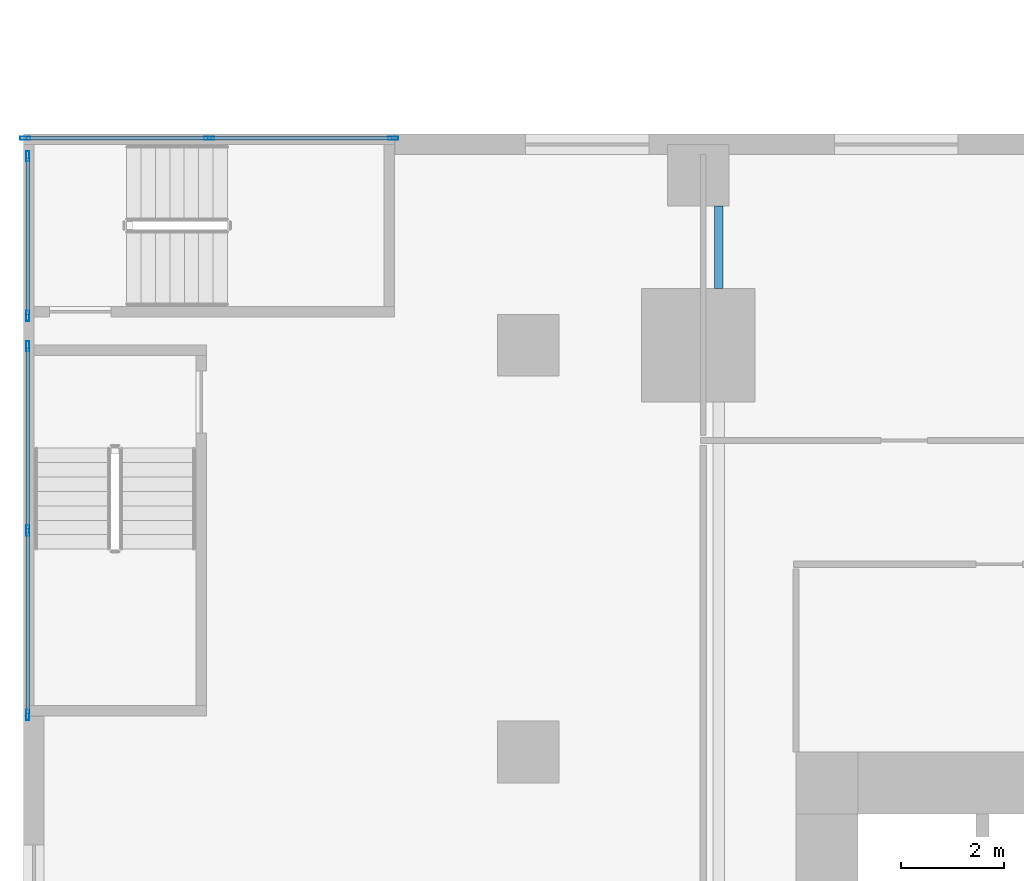
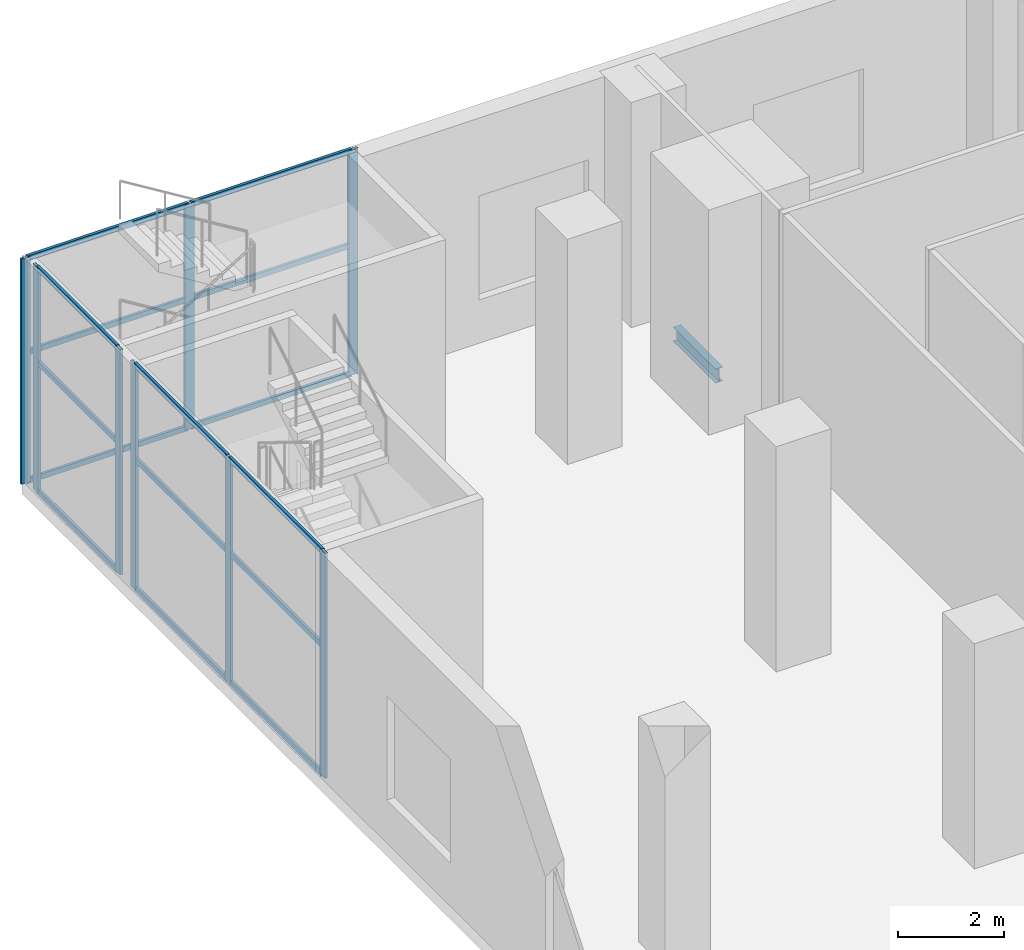
# One storey, part 4 of 23: 23 members, 1 beam, 3 elements without a shape of their own.
"""IFC4 building model written with IfcOpenShell, lengths in metres."""

from ifc_helpers import new_model, si_unit, direction, frame, origin, origin_2d, place, context, subcontext, project, spatial, hollow_rectangle, i_section, extrude, source, transform, mapped, material, material_profile, profile_set, type_object, element, aggregate, save


model = new_model("IFC4")

# Units and contexts
model_context = context("Model", 3, precision=1e-05, world=origin(), true_north=direction((0.0, 1.0)))
body_context = subcontext(model_context, "Body", "Model", "MODEL_VIEW")
ifc_project = project(units=[si_unit("LENGTHUNIT", "METRE"), si_unit("AREAUNIT", "SQUARE_METRE"), si_unit("VOLUMEUNIT", "CUBIC_METRE"), si_unit("PLANEANGLEUNIT", "RADIAN"), si_unit("MASSUNIT", "GRAM", prefix="KILO")], contexts=[model_context])

# Site, building, storey
site_placement = place(None, origin())
site = spatial("IfcSite", under=ifc_project, at=site_placement, CompositionType="ELEMENT")
building_placement = place(site_placement, origin())
building = spatial("IfcBuilding", under=site, at=building_placement, Name="Khomas Fold Tower", CompositionType="ELEMENT")
storey_placement = place(building_placement, frame((0.0, 0.0, 13.0)))
storey = spatial("IfcBuildingStorey", under=building, at=storey_placement, Name="L02", CompositionType="ELEMENT", Elevation=13.0)

# Beam
ifc_material_1 = material(Name="Steel S355", Category="steel")
ifc_material_profile_1 = material_profile(ifc_material_1, i_section(OverallWidth=0.159912109375, OverallDepth=0.330078125, WebThickness=0.007568359375, FlangeThickness=0.011474609375, at=origin_2d()), Name="IPE 330")
ifc_profile_set_1 = profile_set([ifc_material_profile_1], Name="Steel S355")
beam_type = type_object("IfcBeamType", Name="IPE 330 beam JB1", PredefinedType="BEAM", material=ifc_profile_set_1)
shared_shape_1 = source(origin(), body_context, "Body", "SweptSolid", [
    extrude(i_section(OverallWidth=0.159912109375, OverallDepth=0.330078125, WebThickness=0.007568359375, FlangeThickness=0.011474609375, at=origin_2d()), origin(), (0.0, 0.0, 1.0), 1.60009765625),
])
beam_placement = place(storey_placement, frame((4.5, 51.0, -0.465087890625), z_axis=(0.0, 1.0, 0.0), x_axis=(-1.0, 0.0, 0.0)))
element("IfcBeam", 1, at=beam_placement, inside=storey, type_object=beam_type, Name="JB1", PredefinedType="BEAM", context=body_context, shape_type="MappedRepresentation", body=[
    mapped(shared_shape_1, transform((0.0, 0.0, 0.0))),
])

# Curtain wall, members
ifc_material_2 = material(Name="Aluminium framed double glazing", Category="aluminium")
curtain_wall_type = type_object("IfcCurtainWallType", Name="Shopfront glazing PD-CW", PredefinedType="NOTDEFINED", material=ifc_material_2)
curtain_wall_1_placement = place(storey_placement, origin())
curtain_wall_1 = element("IfcCurtainWall", 2, at=curtain_wall_1_placement, inside=storey, type_object=curtain_wall_type, Name="Podium stair-tower glazing", PredefinedType="NOTDEFINED")
ifc_material_3 = material(Name="Aluminium", Category="aluminium")
ifc_material_profile_2 = material_profile(ifc_material_3, hollow_rectangle(XDim=0.06005859375, YDim=0.199951171875, WallThickness=0.00390625, at=origin_2d()), Name="Shopfront glazing mullion PD-CW-M")
ifc_profile_set_2 = profile_set([ifc_material_profile_2], Name="Aluminium")
member_type_1 = type_object("IfcMemberType", Name="Shopfront glazing mullion PD-CW-M", PredefinedType="MULLION", material=ifc_profile_set_2)
shared_shape_2 = source(origin(), body_context, "Body", "SweptSolid", [
    extrude(hollow_rectangle(XDim=0.06005859375, YDim=0.199951171875, WallThickness=0.00390625, at=origin_2d()), origin(), (0.0, 0.0, 1.0), 5.199951171875),
])
member_1_placement = place(storey_placement, frame((-8.919921875, 53.570068359375, 0.0), z_axis=(0.0, 0.0, 1.0), x_axis=(1.0, 0.0, 0.0)))
member_1 = element("IfcMember", 3, at=member_1_placement, type_object=member_type_1, Name="PD-CW mullion 1", PredefinedType="MULLION", context=body_context, shape_type="MappedRepresentation", body=[
    mapped(shared_shape_2, transform((0.0, 0.0, 0.0))),
])
member_2_placement = place(storey_placement, frame((-8.919921875, 50.469970703125, 0.0), z_axis=(0.0, 0.0, 1.0), x_axis=(1.0, 0.0, 0.0)))
member_2 = element("IfcMember", 4, at=member_2_placement, type_object=member_type_1, Name="PD-CW mullion 2", PredefinedType="MULLION", context=body_context, shape_type="MappedRepresentation", body=[
    mapped(shared_shape_2, transform((0.0, 0.0, 0.0))),
])

curtain_wall_2_placement = place(storey_placement, origin())
curtain_wall_2 = element("IfcCurtainWall", 5, at=curtain_wall_2_placement, inside=storey, type_object=curtain_wall_type, Name="Podium stair-tower glazing", PredefinedType="NOTDEFINED")
member_3_placement = place(storey_placement, frame((-8.919921875, 49.8798828125, 0.0), z_axis=(0.0, 0.0, 1.0), x_axis=(1.0, 0.0, 0.0)))
member_3 = element("IfcMember", 6, at=member_3_placement, type_object=member_type_1, Name="PD-CW mullion 1", PredefinedType="MULLION", context=body_context, shape_type="MappedRepresentation", body=[
    mapped(shared_shape_2, transform((0.0, 0.0, 0.0))),
])
member_4_placement = place(storey_placement, frame((-8.919921875, 46.300048828125, 0.0), z_axis=(0.0, 0.0, 1.0), x_axis=(1.0, 0.0, 0.0)))
member_4 = element("IfcMember", 7, at=member_4_placement, type_object=member_type_1, Name="PD-CW mullion 2", PredefinedType="MULLION", context=body_context, shape_type="MappedRepresentation", body=[
    mapped(shared_shape_2, transform((0.0, 0.0, 0.0))),
])
member_5_placement = place(storey_placement, frame((-8.919921875, 42.719970703125, 0.0), z_axis=(0.0, 0.0, 1.0), x_axis=(1.0, 0.0, 0.0)))
member_5 = element("IfcMember", 8, at=member_5_placement, type_object=member_type_1, Name="PD-CW mullion 3", PredefinedType="MULLION", context=body_context, shape_type="MappedRepresentation", body=[
    mapped(shared_shape_2, transform((0.0, 0.0, 0.0))),
])

curtain_wall_3_placement = place(storey_placement, origin())
curtain_wall_3 = element("IfcCurtainWall", 9, at=curtain_wall_3_placement, inside=storey, type_object=curtain_wall_type, Name="Podium stair-tower glazing", PredefinedType="NOTDEFINED")
member_6_placement = place(storey_placement, frame((-1.820068359375, 53.919921875, 0.0), z_axis=(0.0, 0.0, 1.0), x_axis=(0.0, -1.0, 0.0)))
member_6 = element("IfcMember", 10, at=member_6_placement, type_object=member_type_1, Name="PD-CW mullion 1", PredefinedType="MULLION", context=body_context, shape_type="MappedRepresentation", body=[
    mapped(shared_shape_2, transform((0.0, 0.0, 0.0))),
])
member_7_placement = place(storey_placement, frame((-5.39501953125, 53.919921875, 0.0), z_axis=(0.0, 0.0, 1.0), x_axis=(0.0, -1.0, 0.0)))
member_7 = element("IfcMember", 11, at=member_7_placement, type_object=member_type_1, Name="PD-CW mullion 2", PredefinedType="MULLION", context=body_context, shape_type="MappedRepresentation", body=[
    mapped(shared_shape_2, transform((0.0, 0.0, 0.0))),
])
member_8_placement = place(storey_placement, frame((-8.969970703125, 53.919921875, 0.0), z_axis=(0.0, 0.0, 1.0), x_axis=(0.0, -1.0, 0.0)))
member_8 = element("IfcMember", 12, at=member_8_placement, type_object=member_type_1, Name="PD-CW mullion 3", PredefinedType="MULLION", context=body_context, shape_type="MappedRepresentation", body=[
    mapped(shared_shape_2, transform((0.0, 0.0, 0.0))),
])

# Member
ifc_material_4 = material(Name="Aluminium", Category="aluminium")
ifc_material_profile_3 = material_profile(ifc_material_4, hollow_rectangle(XDim=0.06005859375, YDim=0.1201171875, WallThickness=0.00390625, at=origin_2d()), Name="Shopfront glazing transom PD-CW-T")
ifc_profile_set_3 = profile_set([ifc_material_profile_3], Name="Aluminium")
member_type_2 = type_object("IfcMemberType", Name="Shopfront glazing transom PD-CW-T", PredefinedType="USERDEFINED", material=ifc_profile_set_3)
shared_shape_3 = source(origin(), body_context, "Body", "SweptSolid", [
    extrude(hollow_rectangle(XDim=0.06005859375, YDim=0.1201171875, WallThickness=0.00390625, at=origin_2d()), origin(), (0.0, 0.0, 1.0), 3.0400390625),
])
member_9_placement = place(storey_placement, frame((-8.919921875, 53.5400390625, 0.030029296875), z_axis=(0.0, -1.0, 0.0), x_axis=(1.0, 0.0, 0.0)))
member_9 = element("IfcMember", 13, at=member_9_placement, type_object=member_type_2, Name="PD-CW transom 1.1", ObjectType="TRANSOM", PredefinedType="USERDEFINED", context=body_context, shape_type="MappedRepresentation", body=[
    mapped(shared_shape_3, transform((0.0, 0.0, 0.0))),
])

member_10_placement = place(storey_placement, frame((-8.919921875, 53.5400390625, 3.0), z_axis=(0.0, -1.0, 0.0), x_axis=(1.0, 0.0, 0.0)))
member_10 = element("IfcMember", 14, at=member_10_placement, type_object=member_type_2, Name="PD-CW transom 1.2", ObjectType="TRANSOM", PredefinedType="USERDEFINED", context=body_context, shape_type="MappedRepresentation", body=[
    mapped(shared_shape_3, transform((0.0, 0.0, 0.0))),
])

member_11_placement = place(storey_placement, frame((-8.919921875, 53.5400390625, 5.169921875), z_axis=(0.0, -1.0, 0.0), x_axis=(1.0, 0.0, 0.0)))
member_11 = element("IfcMember", 15, at=member_11_placement, type_object=member_type_2, Name="PD-CW transom 1.3", ObjectType="TRANSOM", PredefinedType="USERDEFINED", context=body_context, shape_type="MappedRepresentation", body=[
    mapped(shared_shape_3, transform((0.0, 0.0, 0.0))),
])

aggregate(curtain_wall_1, [member_1, member_2, member_9, member_10, member_11])

shared_shape_4 = source(origin(), body_context, "Body", "SweptSolid", [
    extrude(hollow_rectangle(XDim=0.06005859375, YDim=0.1201171875, WallThickness=0.00390625, at=origin_2d()), origin(), (0.0, 0.0, 1.0), 3.52001953125),
])
member_12_placement = place(storey_placement, frame((-8.919921875, 49.85009765625, 0.030029296875), z_axis=(0.0, -1.0, 0.0), x_axis=(1.0, 0.0, 0.0)))
member_12 = element("IfcMember", 16, at=member_12_placement, type_object=member_type_2, Name="PD-CW transom 1.1", ObjectType="TRANSOM", PredefinedType="USERDEFINED", context=body_context, shape_type="MappedRepresentation", body=[
    mapped(shared_shape_4, transform((0.0, 0.0, 0.0))),
])

member_13_placement = place(storey_placement, frame((-8.919921875, 49.85009765625, 3.0), z_axis=(0.0, -1.0, 0.0), x_axis=(1.0, 0.0, 0.0)))
member_13 = element("IfcMember", 17, at=member_13_placement, type_object=member_type_2, Name="PD-CW transom 1.2", ObjectType="TRANSOM", PredefinedType="USERDEFINED", context=body_context, shape_type="MappedRepresentation", body=[
    mapped(shared_shape_4, transform((0.0, 0.0, 0.0))),
])

member_14_placement = place(storey_placement, frame((-8.919921875, 49.85009765625, 5.169921875), z_axis=(0.0, -1.0, 0.0), x_axis=(1.0, 0.0, 0.0)))
member_14 = element("IfcMember", 18, at=member_14_placement, type_object=member_type_2, Name="PD-CW transom 1.3", ObjectType="TRANSOM", PredefinedType="USERDEFINED", context=body_context, shape_type="MappedRepresentation", body=[
    mapped(shared_shape_4, transform((0.0, 0.0, 0.0))),
])

member_15_placement = place(storey_placement, frame((-8.919921875, 46.27001953125, 0.030029296875), z_axis=(0.0, -1.0, 0.0), x_axis=(1.0, 0.0, 0.0)))
member_15 = element("IfcMember", 19, at=member_15_placement, type_object=member_type_2, Name="PD-CW transom 2.1", ObjectType="TRANSOM", PredefinedType="USERDEFINED", context=body_context, shape_type="MappedRepresentation", body=[
    mapped(shared_shape_4, transform((0.0, 0.0, 0.0))),
])

member_16_placement = place(storey_placement, frame((-8.919921875, 46.27001953125, 3.0), z_axis=(0.0, -1.0, 0.0), x_axis=(1.0, 0.0, 0.0)))
member_16 = element("IfcMember", 20, at=member_16_placement, type_object=member_type_2, Name="PD-CW transom 2.2", ObjectType="TRANSOM", PredefinedType="USERDEFINED", context=body_context, shape_type="MappedRepresentation", body=[
    mapped(shared_shape_4, transform((0.0, 0.0, 0.0))),
])

member_17_placement = place(storey_placement, frame((-8.919921875, 46.27001953125, 5.169921875), z_axis=(0.0, -1.0, 0.0), x_axis=(1.0, 0.0, 0.0)))
member_17 = element("IfcMember", 21, at=member_17_placement, type_object=member_type_2, Name="PD-CW transom 2.3", ObjectType="TRANSOM", PredefinedType="USERDEFINED", context=body_context, shape_type="MappedRepresentation", body=[
    mapped(shared_shape_4, transform((0.0, 0.0, 0.0))),
])

aggregate(curtain_wall_2, [member_3, member_4, member_5, member_12, member_13, member_14, member_15, member_16, member_17])

shared_shape_5 = source(origin(), body_context, "Body", "SweptSolid", [
    extrude(hollow_rectangle(XDim=0.06005859375, YDim=0.1201171875, WallThickness=0.00390625, at=origin_2d()), origin(), (0.0, 0.0, 1.0), 3.514892578125),
])
member_18_placement = place(storey_placement, frame((-1.85009765625, 53.919921875, 0.030029296875), z_axis=(-1.0, 0.0, 0.0), x_axis=(0.0, -1.0, 0.0)))
member_18 = element("IfcMember", 22, at=member_18_placement, type_object=member_type_2, Name="PD-CW transom 1.1", ObjectType="TRANSOM", PredefinedType="USERDEFINED", context=body_context, shape_type="MappedRepresentation", body=[
    mapped(shared_shape_5, transform((0.0, 0.0, 0.0))),
])

member_19_placement = place(storey_placement, frame((-1.85009765625, 53.919921875, 3.0), z_axis=(-1.0, 0.0, 0.0), x_axis=(0.0, -1.0, 0.0)))
member_19 = element("IfcMember", 23, at=member_19_placement, type_object=member_type_2, Name="PD-CW transom 1.2", ObjectType="TRANSOM", PredefinedType="USERDEFINED", context=body_context, shape_type="MappedRepresentation", body=[
    mapped(shared_shape_5, transform((0.0, 0.0, 0.0))),
])

member_20_placement = place(storey_placement, frame((-1.85009765625, 53.919921875, 5.169921875), z_axis=(-1.0, 0.0, 0.0), x_axis=(0.0, -1.0, 0.0)))
member_20 = element("IfcMember", 24, at=member_20_placement, type_object=member_type_2, Name="PD-CW transom 1.3", ObjectType="TRANSOM", PredefinedType="USERDEFINED", context=body_context, shape_type="MappedRepresentation", body=[
    mapped(shared_shape_5, transform((0.0, 0.0, 0.0))),
])

member_21_placement = place(storey_placement, frame((-5.425048828125, 53.919921875, 0.030029296875), z_axis=(-1.0, 0.0, 0.0), x_axis=(0.0, -1.0, 0.0)))
member_21 = element("IfcMember", 25, at=member_21_placement, type_object=member_type_2, Name="PD-CW transom 2.1", ObjectType="TRANSOM", PredefinedType="USERDEFINED", context=body_context, shape_type="MappedRepresentation", body=[
    mapped(shared_shape_5, transform((0.0, 0.0, 0.0))),
])

member_22_placement = place(storey_placement, frame((-5.425048828125, 53.919921875, 3.0), z_axis=(-1.0, 0.0, 0.0), x_axis=(0.0, -1.0, 0.0)))
member_22 = element("IfcMember", 26, at=member_22_placement, type_object=member_type_2, Name="PD-CW transom 2.2", ObjectType="TRANSOM", PredefinedType="USERDEFINED", context=body_context, shape_type="MappedRepresentation", body=[
    mapped(shared_shape_5, transform((0.0, 0.0, 0.0))),
])

member_23_placement = place(storey_placement, frame((-5.425048828125, 53.919921875, 5.169921875), z_axis=(-1.0, 0.0, 0.0), x_axis=(0.0, -1.0, 0.0)))
member_23 = element("IfcMember", 27, at=member_23_placement, type_object=member_type_2, Name="PD-CW transom 2.3", ObjectType="TRANSOM", PredefinedType="USERDEFINED", context=body_context, shape_type="MappedRepresentation", body=[
    mapped(shared_shape_5, transform((0.0, 0.0, 0.0))),
])

aggregate(curtain_wall_3, [member_6, member_7, member_8, member_18, member_19, member_20, member_21, member_22, member_23])

save(model, "model.ifc")
